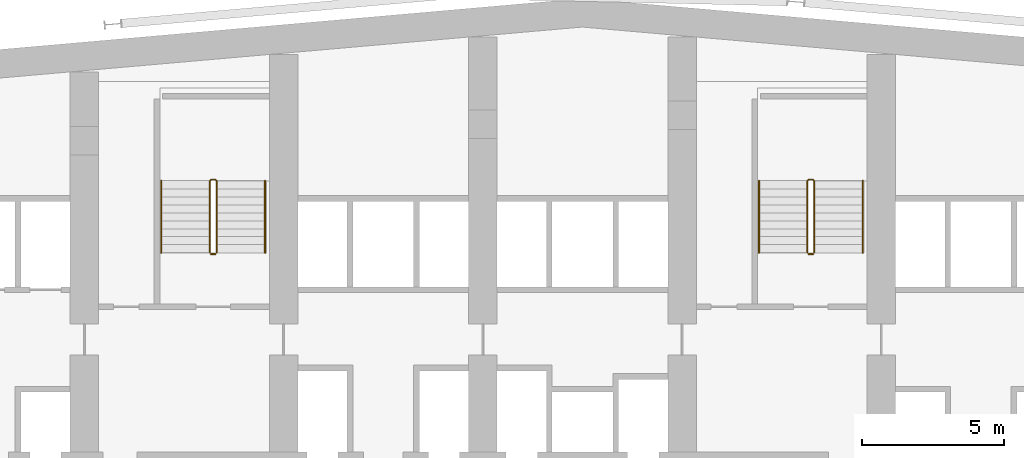
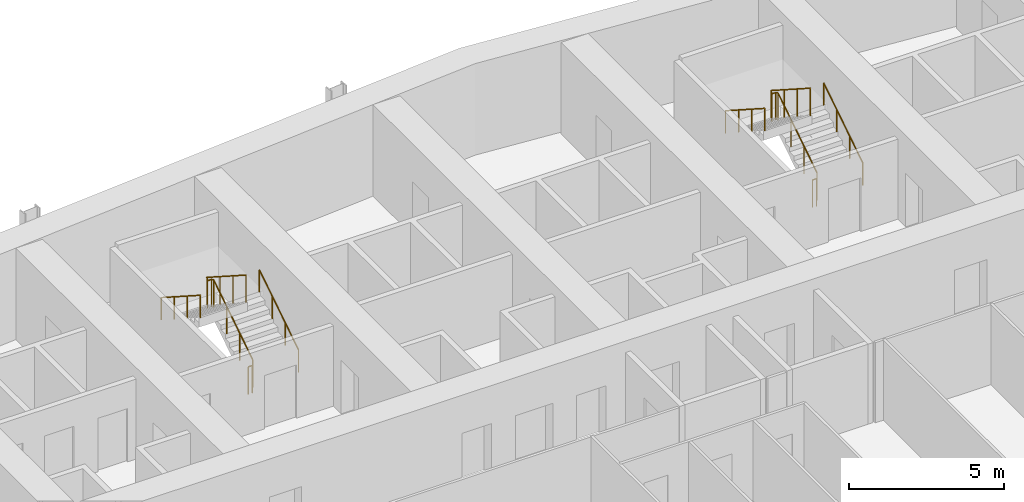
# One storey, part 24 of 25: 8 railings.
"""IFC4 building model written with IfcOpenShell, lengths in metres."""

from ifc_helpers import new_model, si_unit, direction, frame, origin, origin_2d, place, context, subcontext, project, spatial, circle, extrude, material, type_object, element, save


model = new_model("IFC4")

# Units and contexts
model_context = context("Model", 3, precision=1e-05, world=origin(), true_north=direction((0.0, 1.0)))
body_context = subcontext(model_context, "Body", "Model", "MODEL_VIEW")
ifc_project = project(units=[si_unit("LENGTHUNIT", "METRE"), si_unit("AREAUNIT", "SQUARE_METRE"), si_unit("VOLUMEUNIT", "CUBIC_METRE"), si_unit("PLANEANGLEUNIT", "RADIAN"), si_unit("MASSUNIT", "GRAM", prefix="KILO")], contexts=[model_context])

# Site, building, storey
site_placement = place(None, origin())
site = spatial("IfcSite", under=ifc_project, at=site_placement, CompositionType="ELEMENT")
building_placement = place(site_placement, origin())
building = spatial("IfcBuilding", under=site, at=building_placement, Name="Wharfspan Tower", CompositionType="ELEMENT")
storey_placement = place(building_placement, frame((0.0, 0.0, 143.5)))
storey = spatial("IfcBuildingStorey", under=building, at=storey_placement, Name="L34", CompositionType="ELEMENT", Elevation=143.5)

# Railings
ifc_material = material(Name="Steel S355J2", Category="steel")
railing_type_1 = type_object("IfcRailingType", Name="Stair guard 1100", PredefinedType="GUARDRAIL", material=ifc_material)
railing_1_placement = place(storey_placement, frame((27.649902, 42.0, 0.179932)))
element("IfcRailing", 1, at=railing_1_placement, inside=storey, type_object=railing_type_1, Name="L34 ST1 stair guard 1", PredefinedType="GUARDRAIL", context=body_context, shape_type="SweptSolid", body=[
    extrude(circle(Radius=0.023926, at=origin_2d()), frame((0.0, 0.0, 1.076172), z_axis=(0.0, 0.841163, 0.540782), x_axis=(-1.0, 0.0, 0.0)), (0.0, 0.0, 1.0), 2.99585),
    extrude(circle(Radius=0.023926, at=origin_2d()), frame((0.0, 2.52002, 2.696289), z_axis=(-0.705376, 0.708834, 0.0), x_axis=(-0.708834, -0.705376, 0.0)), (0.0, 0.0, 1.0), 0.070557),
    extrude(circle(Radius=0.023926, at=origin_2d()), frame((-0.049805, 2.570068, 2.696289), z_axis=(-1.0, 0.0, 0.0), x_axis=(0.0, -1.0, 0.0)), (0.0, 0.0, 1.0), 0.150146),
    extrude(circle(Radius=0.023926, at=origin_2d()), frame((-0.199951, 2.570068, 2.696289), z_axis=(-0.258848, -0.258848, 0.930589), x_axis=(0.707107, -0.707107, 0.0)), (0.0, 0.0, 1.0), 0.193359),
    extrude(circle(Radius=0.023926, at=origin_2d()), frame((-0.25, 2.52002, 2.875977), z_axis=(0.0, -0.841163, 0.540782), x_axis=(1.0, 0.0, 0.0)), (0.0, 0.0, 1.0), 2.99585),
    extrude(circle(Radius=0.020996, at=origin_2d()), origin(), (0.0, 0.0, 1.0), 1.052002),
    extrude(circle(Radius=0.020996, at=origin_2d()), frame((0.0, 0.840088, 0.540039)), (0.0, 0.0, 1.0), 1.052002),
    extrude(circle(Radius=0.020996, at=origin_2d()), frame((0.0, 1.679932, 1.080078)), (0.0, 0.0, 1.0), 1.052002),
    extrude(circle(Radius=0.020996, at=origin_2d()), frame((0.0, 2.52002, 1.620117)), (0.0, 0.0, 1.0), 1.052002),
    extrude(circle(Radius=0.020996, at=origin_2d()), frame((-0.049805, 2.570068, 1.620117)), (0.0, 0.0, 1.0), 1.052002),
    extrude(circle(Radius=0.020996, at=origin_2d()), frame((-0.199951, 2.570068, 1.620117)), (0.0, 0.0, 1.0), 1.052002),
    extrude(circle(Radius=0.020996, at=origin_2d()), frame((-0.25, 2.52002, 1.800049)), (0.0, 0.0, 1.0), 1.052002),
    extrude(circle(Radius=0.020996, at=origin_2d()), frame((-0.25, 1.679932, 2.340088)), (0.0, 0.0, 1.0), 1.052002),
    extrude(circle(Radius=0.020996, at=origin_2d()), frame((-0.25, 0.840088, 2.880127)), (0.0, 0.0, 1.0), 1.052002),
    extrude(circle(Radius=0.020996, at=origin_2d()), frame((-0.25, 0.0, 3.420166)), (0.0, 0.0, 1.0), 1.052002),
])
railing_2_placement = place(storey_placement, frame((27.600098, 41.949951, 0.0)))
element("IfcRailing", 2, at=railing_2_placement, inside=storey, type_object=railing_type_1, Name="L34 ST1 stair guard 2", PredefinedType="GUARDRAIL", context=body_context, shape_type="SweptSolid", body=[
    extrude(circle(Radius=0.023926, at=origin_2d()), frame((0.0, 0.0, 1.076172), z_axis=(-1.0, 0.0, 0.0), x_axis=(0.0, -1.0, 0.0)), (0.0, 0.0, 1.0), 0.150146),
    extrude(circle(Radius=0.020996, at=origin_2d()), origin(), (0.0, 0.0, 1.0), 1.052002),
    extrude(circle(Radius=0.020996, at=origin_2d()), frame((-0.150146, 0.0, 0.0)), (0.0, 0.0, 1.0), 1.052002),
])
railing_3_placement = place(storey_placement, frame((48.649902, 42.0, 0.179932)))
element("IfcRailing", 3, at=railing_3_placement, inside=storey, type_object=railing_type_1, Name="L34 ST2 stair guard 1", PredefinedType="GUARDRAIL", context=body_context, shape_type="SweptSolid", body=[
    extrude(circle(Radius=0.023926, at=origin_2d()), frame((0.0, 0.0, 1.076172), z_axis=(0.0, 0.841163, 0.540782), x_axis=(-1.0, 0.0, 0.0)), (0.0, 0.0, 1.0), 2.99585),
    extrude(circle(Radius=0.023926, at=origin_2d()), frame((0.0, 2.52002, 2.696289), z_axis=(-0.705376, 0.708834, 0.0), x_axis=(-0.708834, -0.705376, 0.0)), (0.0, 0.0, 1.0), 0.070557),
    extrude(circle(Radius=0.023926, at=origin_2d()), frame((-0.049805, 2.570068, 2.696289), z_axis=(-1.0, 0.0, 0.0), x_axis=(0.0, -1.0, 0.0)), (0.0, 0.0, 1.0), 0.150146),
    extrude(circle(Radius=0.023926, at=origin_2d()), frame((-0.199951, 2.570068, 2.696289), z_axis=(-0.258848, -0.258848, 0.930589), x_axis=(0.707107, -0.707107, 0.0)), (0.0, 0.0, 1.0), 0.193359),
    extrude(circle(Radius=0.023926, at=origin_2d()), frame((-0.25, 2.52002, 2.875977), z_axis=(0.0, -0.841163, 0.540782), x_axis=(1.0, 0.0, 0.0)), (0.0, 0.0, 1.0), 2.99585),
    extrude(circle(Radius=0.020996, at=origin_2d()), origin(), (0.0, 0.0, 1.0), 1.052002),
    extrude(circle(Radius=0.020996, at=origin_2d()), frame((0.0, 0.840088, 0.540039)), (0.0, 0.0, 1.0), 1.052002),
    extrude(circle(Radius=0.020996, at=origin_2d()), frame((0.0, 1.679932, 1.080078)), (0.0, 0.0, 1.0), 1.052002),
    extrude(circle(Radius=0.020996, at=origin_2d()), frame((0.0, 2.52002, 1.620117)), (0.0, 0.0, 1.0), 1.052002),
    extrude(circle(Radius=0.020996, at=origin_2d()), frame((-0.049805, 2.570068, 1.620117)), (0.0, 0.0, 1.0), 1.052002),
    extrude(circle(Radius=0.020996, at=origin_2d()), frame((-0.199951, 2.570068, 1.620117)), (0.0, 0.0, 1.0), 1.052002),
    extrude(circle(Radius=0.020996, at=origin_2d()), frame((-0.25, 2.52002, 1.800049)), (0.0, 0.0, 1.0), 1.052002),
    extrude(circle(Radius=0.020996, at=origin_2d()), frame((-0.25, 1.679932, 2.340088)), (0.0, 0.0, 1.0), 1.052002),
    extrude(circle(Radius=0.020996, at=origin_2d()), frame((-0.25, 0.840088, 2.880127)), (0.0, 0.0, 1.0), 1.052002),
    extrude(circle(Radius=0.020996, at=origin_2d()), frame((-0.25, 0.0, 3.420166)), (0.0, 0.0, 1.0), 1.052002),
])
railing_4_placement = place(storey_placement, frame((48.600098, 41.949951, 0.0)))
element("IfcRailing", 4, at=railing_4_placement, inside=storey, type_object=railing_type_1, Name="L34 ST2 stair guard 2", PredefinedType="GUARDRAIL", context=body_context, shape_type="SweptSolid", body=[
    extrude(circle(Radius=0.023926, at=origin_2d()), frame((0.0, 0.0, 1.076172), z_axis=(-1.0, 0.0, 0.0), x_axis=(0.0, -1.0, 0.0)), (0.0, 0.0, 1.0), 0.150146),
    extrude(circle(Radius=0.020996, at=origin_2d()), origin(), (0.0, 0.0, 1.0), 1.052002),
    extrude(circle(Radius=0.020996, at=origin_2d()), frame((-0.150146, 0.0, 0.0)), (0.0, 0.0, 1.0), 1.052002),
])
railing_type_2 = type_object("IfcRailingType", Name="Stair handrail 900", PredefinedType="HANDRAIL", material=ifc_material)
railing_5_placement = place(storey_placement, frame((29.350098, 42.0, 0.179932)))
element("IfcRailing", 5, at=railing_5_placement, inside=storey, type_object=railing_type_2, Name="L34 ST1 stair handrail 1", PredefinedType="HANDRAIL", context=body_context, shape_type="SweptSolid", body=[
    extrude(circle(Radius=0.023926, at=origin_2d()), frame((0.0, 0.0, 0.875977), z_axis=(0.0, 0.841163, 0.540782), x_axis=(-1.0, 0.0, 0.0)), (0.0, 0.0, 1.0), 2.99585),
    extrude(circle(Radius=0.020996, at=origin_2d()), origin(), (0.0, 0.0, 1.0), 0.851807),
    extrude(circle(Radius=0.020996, at=origin_2d()), frame((0.0, 0.840088, 0.540039)), (0.0, 0.0, 1.0), 0.851807),
    extrude(circle(Radius=0.020996, at=origin_2d()), frame((0.0, 1.679932, 1.080078)), (0.0, 0.0, 1.0), 0.851807),
    extrude(circle(Radius=0.020996, at=origin_2d()), frame((0.0, 2.52002, 1.620117)), (0.0, 0.0, 1.0), 0.851807),
])
railing_6_placement = place(storey_placement, frame((25.699951, 44.52002, 1.97998)))
element("IfcRailing", 6, at=railing_6_placement, inside=storey, type_object=railing_type_2, Name="L34 ST1 stair handrail 2", PredefinedType="HANDRAIL", context=body_context, shape_type="SweptSolid", body=[
    extrude(circle(Radius=0.023926, at=origin_2d()), frame((0.0, 0.0, 0.875977), z_axis=(0.0, -0.841163, 0.540782), x_axis=(1.0, 0.0, 0.0)), (0.0, 0.0, 1.0), 2.99585),
    extrude(circle(Radius=0.020996, at=origin_2d()), origin(), (0.0, 0.0, 1.0), 0.851807),
    extrude(circle(Radius=0.020996, at=origin_2d()), frame((0.0, -0.840088, 0.540039)), (0.0, 0.0, 1.0), 0.851807),
    extrude(circle(Radius=0.020996, at=origin_2d()), frame((0.0, -1.679932, 1.080078)), (0.0, 0.0, 1.0), 0.851807),
    extrude(circle(Radius=0.020996, at=origin_2d()), frame((0.0, -2.52002, 1.620117)), (0.0, 0.0, 1.0), 0.851807),
])
railing_7_placement = place(storey_placement, frame((50.350098, 42.0, 0.179932)))
element("IfcRailing", 7, at=railing_7_placement, inside=storey, type_object=railing_type_2, Name="L34 ST2 stair handrail 1", PredefinedType="HANDRAIL", context=body_context, shape_type="SweptSolid", body=[
    extrude(circle(Radius=0.023926, at=origin_2d()), frame((0.0, 0.0, 0.875977), z_axis=(0.0, 0.841163, 0.540782), x_axis=(-1.0, 0.0, 0.0)), (0.0, 0.0, 1.0), 2.99585),
    extrude(circle(Radius=0.020996, at=origin_2d()), origin(), (0.0, 0.0, 1.0), 0.851807),
    extrude(circle(Radius=0.020996, at=origin_2d()), frame((0.0, 0.840088, 0.540039)), (0.0, 0.0, 1.0), 0.851807),
    extrude(circle(Radius=0.020996, at=origin_2d()), frame((0.0, 1.679932, 1.080078)), (0.0, 0.0, 1.0), 0.851807),
    extrude(circle(Radius=0.020996, at=origin_2d()), frame((0.0, 2.52002, 1.620117)), (0.0, 0.0, 1.0), 0.851807),
])
railing_8_placement = place(storey_placement, frame((46.699951, 44.52002, 1.97998)))
element("IfcRailing", 8, at=railing_8_placement, inside=storey, type_object=railing_type_2, Name="L34 ST2 stair handrail 2", PredefinedType="HANDRAIL", context=body_context, shape_type="SweptSolid", body=[
    extrude(circle(Radius=0.023926, at=origin_2d()), frame((0.0, 0.0, 0.875977), z_axis=(0.0, -0.841163, 0.540782), x_axis=(1.0, 0.0, 0.0)), (0.0, 0.0, 1.0), 2.99585),
    extrude(circle(Radius=0.020996, at=origin_2d()), origin(), (0.0, 0.0, 1.0), 0.851807),
    extrude(circle(Radius=0.020996, at=origin_2d()), frame((0.0, -0.840088, 0.540039)), (0.0, 0.0, 1.0), 0.851807),
    extrude(circle(Radius=0.020996, at=origin_2d()), frame((0.0, -1.679932, 1.080078)), (0.0, 0.0, 1.0), 0.851807),
    extrude(circle(Radius=0.020996, at=origin_2d()), frame((0.0, -2.52002, 1.620117)), (0.0, 0.0, 1.0), 0.851807),
])

save(model, "model.ifc")
